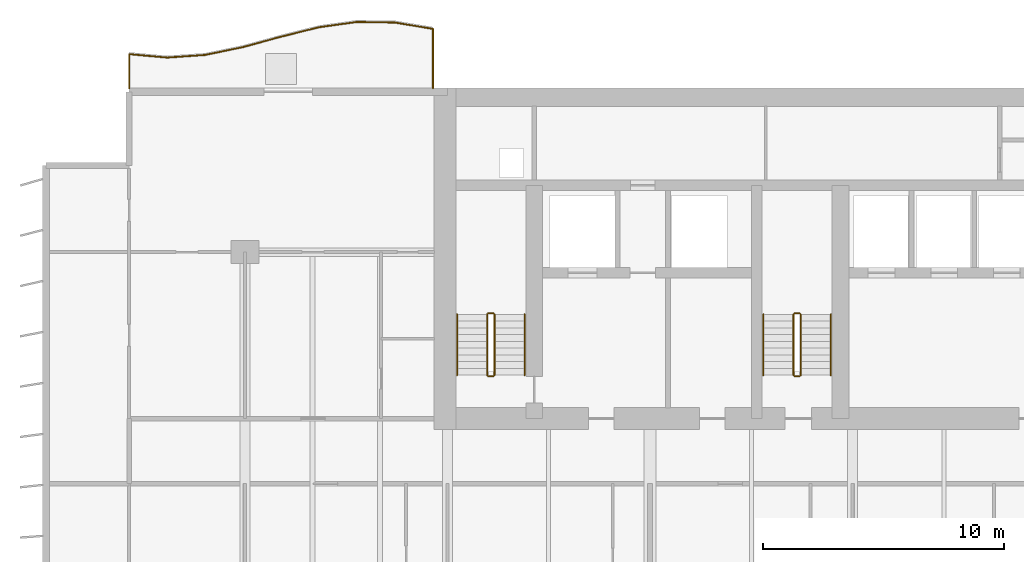
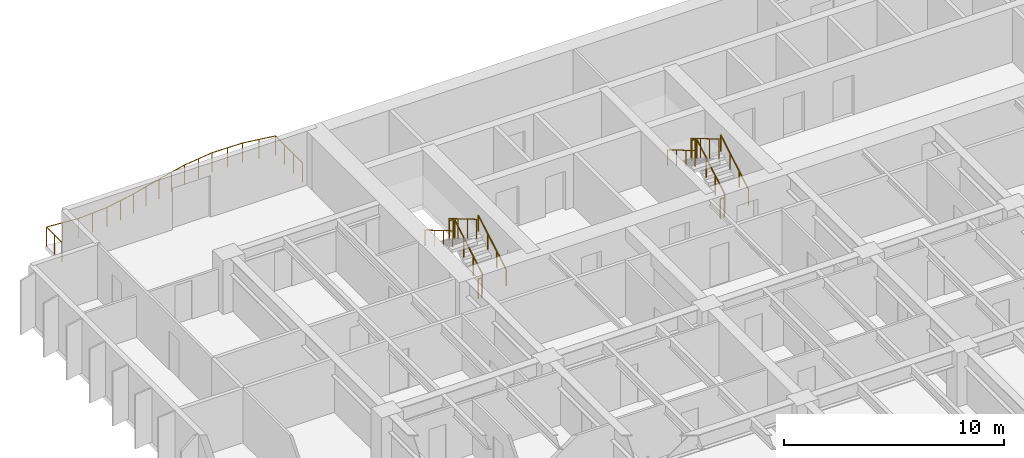
# One storey, part 13 of 15: 13 railings.
"""IFC4 building model written with IfcOpenShell, lengths in metres."""

from ifc_helpers import new_model, si_unit, direction, frame, origin, origin_2d, place, context, subcontext, project, spatial, circle, extrude, material, type_object, element, save


model = new_model("IFC4")

# Units and contexts
model_context = context("Model", 3, precision=1e-05, world=origin(), true_north=direction((0.0, 1.0)))
body_context = subcontext(model_context, "Body", "Model", "MODEL_VIEW")
ifc_project = project(units=[si_unit("LENGTHUNIT", "METRE"), si_unit("AREAUNIT", "SQUARE_METRE"), si_unit("VOLUMEUNIT", "CUBIC_METRE"), si_unit("PLANEANGLEUNIT", "RADIAN"), si_unit("MASSUNIT", "GRAM", prefix="KILO")], contexts=[model_context])

# Site, building, storey
site_placement = place(None, origin())
site = spatial("IfcSite", under=ifc_project, at=site_placement, CompositionType="ELEMENT")
building_placement = place(site_placement, origin())
building = spatial("IfcBuilding", under=site, at=building_placement, Name="Caelmar Bay Residences", CompositionType="ELEMENT")
storey_placement = place(building_placement, frame((0.0, 0.0, 76.199951171875)))
storey = spatial("IfcBuildingStorey", under=building, at=storey_placement, Name="L20", CompositionType="ELEMENT", Elevation=76.199951171875)

# Railings
ifc_material_1 = material(Name="Anodised bronze handrail with laminated hurricane glass infill", Category="glass")
railing_type_1 = type_object("IfcRailingType", Name="RL-BAL-1100", PredefinedType="BALUSTRADE", material=ifc_material_1)
railing_1_placement = place(storey_placement, frame((17.699951171875, 50.60009765625, 0.0)))
element("IfcRailing", 1, at=railing_1_placement, inside=storey, type_object=railing_type_1, Name="L20 north_west Balcony Balustrade", PredefinedType="BALUSTRADE", context=body_context, shape_type="SweptSolid", body=[
    extrude(circle(Radius=0.02392578125, at=origin_2d()), frame((0.0, 0.0, 1.076171875), z_axis=(0.0, 1.0, 0.0), x_axis=(-1.0, 0.0, 0.0)), (0.0, 0.0, 1.0), 2.460693359375),
    extrude(circle(Radius=0.02392578125, at=origin_2d()), frame((0.0, 2.460693359375, 1.076171875), z_axis=(-0.986373253557, 0.16452296091, 0.0), x_axis=(-0.16452296091, -0.986373253557, 0.0)), (0.0, 0.0, 1.0), 1.5966796875),
    extrude(circle(Radius=0.02392578125, at=origin_2d()), frame((-1.574951171875, 2.723388671875, 1.076171875), z_axis=(-0.999865029232, 0.016429343218, 0.0), x_axis=(-0.016429343218, -0.999865029232, 0.0)), (0.0, 0.0, 1.0), 1.5751953125),
    extrude(circle(Radius=0.02392578125, at=origin_2d()), frame((-3.14990234375, 2.749267578125, 1.076171875), z_axis=(-0.990365762787, -0.138476192534, 0.0), x_axis=(0.138476192534, -0.990365762787, 0.0)), (0.0, 0.0, 1.0), 1.59033203125),
    extrude(circle(Radius=0.02392578125, at=origin_2d()), frame((-4.724853515625, 2.529052734375, 1.076171875), z_axis=(-0.970424957925, -0.241402984729, 0.0), x_axis=(0.241402984729, -0.970424957925, 0.0)), (0.0, 0.0, 1.0), 1.623291015625),
    extrude(circle(Radius=0.02392578125, at=origin_2d()), frame((-6.300048828125, 2.13720703125, 1.076171875), z_axis=(-0.964473421299, -0.264179900083, 0.0), x_axis=(0.264179900083, -0.964473421299, 0.0)), (0.0, 0.0, 1.0), 1.633056640625),
    extrude(circle(Radius=0.02392578125, at=origin_2d()), frame((-7.875, 1.705810546875, 1.076171875), z_axis=(-0.97931127967, -0.202359624213, 0.0), x_axis=(0.202359624213, -0.97931127967, 0.0)), (0.0, 0.0, 1.0), 1.608154296875),
    extrude(circle(Radius=0.02392578125, at=origin_2d()), frame((-9.449951171875, 1.38037109375, 1.076171875), z_axis=(-0.997575849837, -0.069587526341, 0.0), x_axis=(0.069587526341, -0.997575849837, 0.0)), (0.0, 0.0, 1.0), 1.578857421875),
    extrude(circle(Radius=0.02392578125, at=origin_2d()), frame((-11.02490234375, 1.2705078125, 1.076171875), z_axis=(-0.995927302368, 0.090159904601, 0.0), x_axis=(-0.090159904601, -0.995927302368, 0.0)), (0.0, 0.0, 1.0), 1.581298828125),
    extrude(circle(Radius=0.02392578125, at=origin_2d()), frame((-12.599853515625, 1.4130859375, 1.076171875), z_axis=(0.0, -1.0, 0.0), x_axis=(1.0, 0.0, 0.0)), (0.0, 0.0, 1.0), 1.4130859375),
    extrude(circle(Radius=0.02099609375, at=origin_2d()), origin(), (0.0, 0.0, 1.0), 1.052001953125),
    extrude(circle(Radius=0.02099609375, at=origin_2d()), frame((0.0, 0.8203125, 0.0)), (0.0, 0.0, 1.0), 1.052001953125),
    extrude(circle(Radius=0.02099609375, at=origin_2d()), frame((0.0, 1.640380859375, 0.0)), (0.0, 0.0, 1.0), 1.052001953125),
    extrude(circle(Radius=0.02099609375, at=origin_2d()), frame((0.0, 2.460693359375, 0.0)), (0.0, 0.0, 1.0), 1.052001953125),
    extrude(circle(Radius=0.02099609375, at=origin_2d()), frame((-0.78759765625, 2.592041015625, 0.0)), (0.0, 0.0, 1.0), 1.052001953125),
    extrude(circle(Radius=0.02099609375, at=origin_2d()), frame((-1.574951171875, 2.723388671875, 0.0)), (0.0, 0.0, 1.0), 1.052001953125),
    extrude(circle(Radius=0.02099609375, at=origin_2d()), frame((-2.3623046875, 2.736328125, 0.0)), (0.0, 0.0, 1.0), 1.052001953125),
    extrude(circle(Radius=0.02099609375, at=origin_2d()), frame((-3.14990234375, 2.749267578125, 0.0)), (0.0, 0.0, 1.0), 1.052001953125),
    extrude(circle(Radius=0.02099609375, at=origin_2d()), frame((-3.9375, 2.63916015625, 0.0)), (0.0, 0.0, 1.0), 1.052001953125),
    extrude(circle(Radius=0.02099609375, at=origin_2d()), frame((-4.724853515625, 2.529052734375, 0.0)), (0.0, 0.0, 1.0), 1.052001953125),
    extrude(circle(Radius=0.02099609375, at=origin_2d()), frame((-5.512451171875, 2.3330078125, 0.0)), (0.0, 0.0, 1.0), 1.052001953125),
    extrude(circle(Radius=0.02099609375, at=origin_2d()), frame((-6.300048828125, 2.13720703125, 0.0)), (0.0, 0.0, 1.0), 1.052001953125),
    extrude(circle(Radius=0.02099609375, at=origin_2d()), frame((-7.08740234375, 1.92138671875, 0.0)), (0.0, 0.0, 1.0), 1.052001953125),
    extrude(circle(Radius=0.02099609375, at=origin_2d()), frame((-7.875, 1.705810546875, 0.0)), (0.0, 0.0, 1.0), 1.052001953125),
    extrude(circle(Radius=0.02099609375, at=origin_2d()), frame((-8.66259765625, 1.54296875, 0.0)), (0.0, 0.0, 1.0), 1.052001953125),
    extrude(circle(Radius=0.02099609375, at=origin_2d()), frame((-9.449951171875, 1.38037109375, 0.0)), (0.0, 0.0, 1.0), 1.052001953125),
    extrude(circle(Radius=0.02099609375, at=origin_2d()), frame((-10.2373046875, 1.325439453125, 0.0)), (0.0, 0.0, 1.0), 1.052001953125),
    extrude(circle(Radius=0.02099609375, at=origin_2d()), frame((-11.02490234375, 1.2705078125, 0.0)), (0.0, 0.0, 1.0), 1.052001953125),
    extrude(circle(Radius=0.02099609375, at=origin_2d()), frame((-11.8125, 1.341796875, 0.0)), (0.0, 0.0, 1.0), 1.052001953125),
    extrude(circle(Radius=0.02099609375, at=origin_2d()), frame((-12.599853515625, 1.4130859375, 0.0)), (0.0, 0.0, 1.0), 1.052001953125),
    extrude(circle(Radius=0.02099609375, at=origin_2d()), frame((-12.599853515625, 0.70654296875, 0.0)), (0.0, 0.0, 1.0), 1.052001953125),
    extrude(circle(Radius=0.02099609375, at=origin_2d()), frame((-12.599853515625, 0.0, 0.0)), (0.0, 0.0, 1.0), 1.052001953125),
])
ifc_material_2 = material(Name="Painted galvanized steel stair guard 1100 mm", Category="steel")
railing_type_2 = type_object("IfcRailingType", Name="RL-GRD-1100", PredefinedType="GUARDRAIL", material=ifc_material_2)
railing_2_placement = place(storey_placement, frame((20.25, 38.699951171875, 0.1650390625)))
element("IfcRailing", 2, at=railing_2_placement, inside=storey, type_object=railing_type_2, Name="L20 ST1 stair guard 1", PredefinedType="GUARDRAIL", context=body_context, shape_type="SweptSolid", body=[
    extrude(circle(Radius=0.02392578125, at=origin_2d()), frame((0.0, 0.0, 1.076171875), z_axis=(0.0, 0.86152411907, 0.507716645641), x_axis=(-1.0, 0.0, 0.0)), (0.0, 0.0, 1.0), 2.925048828125),
    extrude(circle(Radius=0.02099609375, at=origin_2d()), origin(), (0.0, 0.0, 1.0), 1.052001953125),
    extrude(circle(Radius=0.02099609375, at=origin_2d()), frame((0.0, 0.840087890625, 0.4951171875)), (0.0, 0.0, 1.0), 1.052001953125),
    extrude(circle(Radius=0.02099609375, at=origin_2d()), frame((0.0, 1.679931640625, 0.989990234375)), (0.0, 0.0, 1.0), 1.052001953125),
    extrude(circle(Radius=0.02099609375, at=origin_2d()), frame((0.0, 2.52001953125, 1.485107421875)), (0.0, 0.0, 1.0), 1.052001953125),
])
railing_3_placement = place(storey_placement, frame((20.199951171875, 41.27001953125, 1.650146484375)))
element("IfcRailing", 3, at=railing_3_placement, inside=storey, type_object=railing_type_2, Name="L20 ST1 stair guard 2", PredefinedType="GUARDRAIL", context=body_context, shape_type="SweptSolid", body=[
    extrude(circle(Radius=0.02392578125, at=origin_2d()), frame((0.0, 0.0, 1.076171875), z_axis=(-1.0, 0.0, 0.0), x_axis=(0.0, -1.0, 0.0)), (0.0, 0.0, 1.0), 0.199951171875),
    extrude(circle(Radius=0.02099609375, at=origin_2d()), origin(), (0.0, 0.0, 1.0), 1.052001953125),
    extrude(circle(Radius=0.02099609375, at=origin_2d()), frame((-0.199951171875, 0.0, 0.0)), (0.0, 0.0, 1.0), 1.052001953125),
])
railing_4_placement = place(storey_placement, frame((19.949951171875, 41.219970703125, 1.81494140625)))
element("IfcRailing", 4, at=railing_4_placement, inside=storey, type_object=railing_type_2, Name="L20 ST1 stair guard 3", PredefinedType="GUARDRAIL", context=body_context, shape_type="SweptSolid", body=[
    extrude(circle(Radius=0.02392578125, at=origin_2d()), frame((0.0, 0.0, 1.076171875), z_axis=(0.0, -0.86152411907, 0.507716645641), x_axis=(1.0, 0.0, 0.0)), (0.0, 0.0, 1.0), 2.925048828125),
    extrude(circle(Radius=0.02099609375, at=origin_2d()), origin(), (0.0, 0.0, 1.0), 1.052001953125),
    extrude(circle(Radius=0.02099609375, at=origin_2d()), frame((0.0, -0.840087890625, 0.4951171875)), (0.0, 0.0, 1.0), 1.052001953125),
    extrude(circle(Radius=0.02099609375, at=origin_2d()), frame((0.0, -1.679931640625, 0.989990234375)), (0.0, 0.0, 1.0), 1.052001953125),
    extrude(circle(Radius=0.02099609375, at=origin_2d()), frame((0.0, -2.52001953125, 1.485107421875)), (0.0, 0.0, 1.0), 1.052001953125),
])
railing_5_placement = place(storey_placement, frame((20.199951171875, 38.64990234375, 0.0)))
element("IfcRailing", 5, at=railing_5_placement, inside=storey, type_object=railing_type_2, Name="L20 ST1 stair guard 4", PredefinedType="GUARDRAIL", context=body_context, shape_type="SweptSolid", body=[
    extrude(circle(Radius=0.02392578125, at=origin_2d()), frame((0.0, 0.0, 1.076171875), z_axis=(-1.0, 0.0, 0.0), x_axis=(0.0, -1.0, 0.0)), (0.0, 0.0, 1.0), 0.199951171875),
    extrude(circle(Radius=0.02099609375, at=origin_2d()), origin(), (0.0, 0.0, 1.0), 1.052001953125),
    extrude(circle(Radius=0.02099609375, at=origin_2d()), frame((-0.199951171875, 0.0, 0.0)), (0.0, 0.0, 1.0), 1.052001953125),
])
railing_6_placement = place(storey_placement, frame((32.949951171875, 38.699951171875, 0.1650390625)))
element("IfcRailing", 6, at=railing_6_placement, inside=storey, type_object=railing_type_2, Name="L20 ST3 stair guard 1", PredefinedType="GUARDRAIL", context=body_context, shape_type="SweptSolid", body=[
    extrude(circle(Radius=0.02392578125, at=origin_2d()), frame((0.0, 0.0, 1.076171875), z_axis=(0.0, 0.86152411907, 0.507716645641), x_axis=(-1.0, 0.0, 0.0)), (0.0, 0.0, 1.0), 2.925048828125),
    extrude(circle(Radius=0.02099609375, at=origin_2d()), origin(), (0.0, 0.0, 1.0), 1.052001953125),
    extrude(circle(Radius=0.02099609375, at=origin_2d()), frame((0.0, 0.840087890625, 0.4951171875)), (0.0, 0.0, 1.0), 1.052001953125),
    extrude(circle(Radius=0.02099609375, at=origin_2d()), frame((0.0, 1.679931640625, 0.989990234375)), (0.0, 0.0, 1.0), 1.052001953125),
    extrude(circle(Radius=0.02099609375, at=origin_2d()), frame((0.0, 2.52001953125, 1.485107421875)), (0.0, 0.0, 1.0), 1.052001953125),
])
railing_7_placement = place(storey_placement, frame((32.89990234375, 41.27001953125, 1.650146484375)))
element("IfcRailing", 7, at=railing_7_placement, inside=storey, type_object=railing_type_2, Name="L20 ST3 stair guard 2", PredefinedType="GUARDRAIL", context=body_context, shape_type="SweptSolid", body=[
    extrude(circle(Radius=0.02392578125, at=origin_2d()), frame((0.0, 0.0, 1.076171875), z_axis=(-1.0, 0.0, 0.0), x_axis=(0.0, -1.0, 0.0)), (0.0, 0.0, 1.0), 0.199951171875),
    extrude(circle(Radius=0.02099609375, at=origin_2d()), origin(), (0.0, 0.0, 1.0), 1.052001953125),
    extrude(circle(Radius=0.02099609375, at=origin_2d()), frame((-0.199951171875, 0.0, 0.0)), (0.0, 0.0, 1.0), 1.052001953125),
])
railing_8_placement = place(storey_placement, frame((32.64990234375, 41.219970703125, 1.81494140625)))
element("IfcRailing", 8, at=railing_8_placement, inside=storey, type_object=railing_type_2, Name="L20 ST3 stair guard 3", PredefinedType="GUARDRAIL", context=body_context, shape_type="SweptSolid", body=[
    extrude(circle(Radius=0.02392578125, at=origin_2d()), frame((0.0, 0.0, 1.076171875), z_axis=(0.0, -0.86152411907, 0.507716645641), x_axis=(1.0, 0.0, 0.0)), (0.0, 0.0, 1.0), 2.925048828125),
    extrude(circle(Radius=0.02099609375, at=origin_2d()), origin(), (0.0, 0.0, 1.0), 1.052001953125),
    extrude(circle(Radius=0.02099609375, at=origin_2d()), frame((0.0, -0.840087890625, 0.4951171875)), (0.0, 0.0, 1.0), 1.052001953125),
    extrude(circle(Radius=0.02099609375, at=origin_2d()), frame((0.0, -1.679931640625, 0.989990234375)), (0.0, 0.0, 1.0), 1.052001953125),
    extrude(circle(Radius=0.02099609375, at=origin_2d()), frame((0.0, -2.52001953125, 1.485107421875)), (0.0, 0.0, 1.0), 1.052001953125),
])
railing_9_placement = place(storey_placement, frame((32.89990234375, 38.64990234375, 0.0)))
element("IfcRailing", 9, at=railing_9_placement, inside=storey, type_object=railing_type_2, Name="L20 ST3 stair guard 4", PredefinedType="GUARDRAIL", context=body_context, shape_type="SweptSolid", body=[
    extrude(circle(Radius=0.02392578125, at=origin_2d()), frame((0.0, 0.0, 1.076171875), z_axis=(-1.0, 0.0, 0.0), x_axis=(0.0, -1.0, 0.0)), (0.0, 0.0, 1.0), 0.199951171875),
    extrude(circle(Radius=0.02099609375, at=origin_2d()), origin(), (0.0, 0.0, 1.0), 1.052001953125),
    extrude(circle(Radius=0.02099609375, at=origin_2d()), frame((-0.199951171875, 0.0, 0.0)), (0.0, 0.0, 1.0), 1.052001953125),
])
ifc_material_3 = material(Name="Brushed bronze stainless-steel tubular handrail 900 mm", Category="steel")
railing_type_3 = type_object("IfcRailingType", Name="RL-HND-900", PredefinedType="HANDRAIL", material=ifc_material_3)
railing_10_placement = place(storey_placement, frame((21.5, 38.699951171875, 0.1650390625)))
element("IfcRailing", 10, at=railing_10_placement, inside=storey, type_object=railing_type_3, Name="L20 ST1 stair handrail 1", PredefinedType="HANDRAIL", context=body_context, shape_type="SweptSolid", body=[
    extrude(circle(Radius=0.02392578125, at=origin_2d()), frame((0.0, 0.0, 0.8759765625), z_axis=(0.0, 0.86152411907, 0.507716645641), x_axis=(-1.0, 0.0, 0.0)), (0.0, 0.0, 1.0), 2.925048828125),
    extrude(circle(Radius=0.02099609375, at=origin_2d()), origin(), (0.0, 0.0, 1.0), 0.851806640625),
    extrude(circle(Radius=0.02099609375, at=origin_2d()), frame((0.0, 0.840087890625, 0.4951171875)), (0.0, 0.0, 1.0), 0.851806640625),
    extrude(circle(Radius=0.02099609375, at=origin_2d()), frame((0.0, 1.679931640625, 0.989990234375)), (0.0, 0.0, 1.0), 0.851806640625),
    extrude(circle(Radius=0.02099609375, at=origin_2d()), frame((0.0, 2.52001953125, 1.485107421875)), (0.0, 0.0, 1.0), 0.851806640625),
])
railing_11_placement = place(storey_placement, frame((18.699951171875, 41.219970703125, 1.81494140625)))
element("IfcRailing", 11, at=railing_11_placement, inside=storey, type_object=railing_type_3, Name="L20 ST1 stair handrail 2", PredefinedType="HANDRAIL", context=body_context, shape_type="SweptSolid", body=[
    extrude(circle(Radius=0.02392578125, at=origin_2d()), frame((0.0, 0.0, 0.8759765625), z_axis=(0.0, -0.86152411907, 0.507716645641), x_axis=(1.0, 0.0, 0.0)), (0.0, 0.0, 1.0), 2.925048828125),
    extrude(circle(Radius=0.02099609375, at=origin_2d()), origin(), (0.0, 0.0, 1.0), 0.851806640625),
    extrude(circle(Radius=0.02099609375, at=origin_2d()), frame((0.0, -0.840087890625, 0.4951171875)), (0.0, 0.0, 1.0), 0.851806640625),
    extrude(circle(Radius=0.02099609375, at=origin_2d()), frame((0.0, -1.679931640625, 0.989990234375)), (0.0, 0.0, 1.0), 0.851806640625),
    extrude(circle(Radius=0.02099609375, at=origin_2d()), frame((0.0, -2.52001953125, 1.485107421875)), (0.0, 0.0, 1.0), 0.851806640625),
])
railing_12_placement = place(storey_placement, frame((34.199951171875, 38.699951171875, 0.1650390625)))
element("IfcRailing", 12, at=railing_12_placement, inside=storey, type_object=railing_type_3, Name="L20 ST3 stair handrail 1", PredefinedType="HANDRAIL", context=body_context, shape_type="SweptSolid", body=[
    extrude(circle(Radius=0.02392578125, at=origin_2d()), frame((0.0, 0.0, 0.8759765625), z_axis=(0.0, 0.86152411907, 0.507716645641), x_axis=(-1.0, 0.0, 0.0)), (0.0, 0.0, 1.0), 2.925048828125),
    extrude(circle(Radius=0.02099609375, at=origin_2d()), origin(), (0.0, 0.0, 1.0), 0.851806640625),
    extrude(circle(Radius=0.02099609375, at=origin_2d()), frame((0.0, 0.840087890625, 0.4951171875)), (0.0, 0.0, 1.0), 0.851806640625),
    extrude(circle(Radius=0.02099609375, at=origin_2d()), frame((0.0, 1.679931640625, 0.989990234375)), (0.0, 0.0, 1.0), 0.851806640625),
    extrude(circle(Radius=0.02099609375, at=origin_2d()), frame((0.0, 2.52001953125, 1.485107421875)), (0.0, 0.0, 1.0), 0.851806640625),
])
railing_13_placement = place(storey_placement, frame((31.39990234375, 41.219970703125, 1.81494140625)))
element("IfcRailing", 13, at=railing_13_placement, inside=storey, type_object=railing_type_3, Name="L20 ST3 stair handrail 2", PredefinedType="HANDRAIL", context=body_context, shape_type="SweptSolid", body=[
    extrude(circle(Radius=0.02392578125, at=origin_2d()), frame((0.0, 0.0, 0.8759765625), z_axis=(0.0, -0.86152411907, 0.507716645641), x_axis=(1.0, 0.0, 0.0)), (0.0, 0.0, 1.0), 2.925048828125),
    extrude(circle(Radius=0.02099609375, at=origin_2d()), origin(), (0.0, 0.0, 1.0), 0.851806640625),
    extrude(circle(Radius=0.02099609375, at=origin_2d()), frame((0.0, -0.840087890625, 0.4951171875)), (0.0, 0.0, 1.0), 0.851806640625),
    extrude(circle(Radius=0.02099609375, at=origin_2d()), frame((0.0, -1.679931640625, 0.989990234375)), (0.0, 0.0, 1.0), 0.851806640625),
    extrude(circle(Radius=0.02099609375, at=origin_2d()), frame((0.0, -2.52001953125, 1.485107421875)), (0.0, 0.0, 1.0), 0.851806640625),
])

save(model, "model.ifc")
